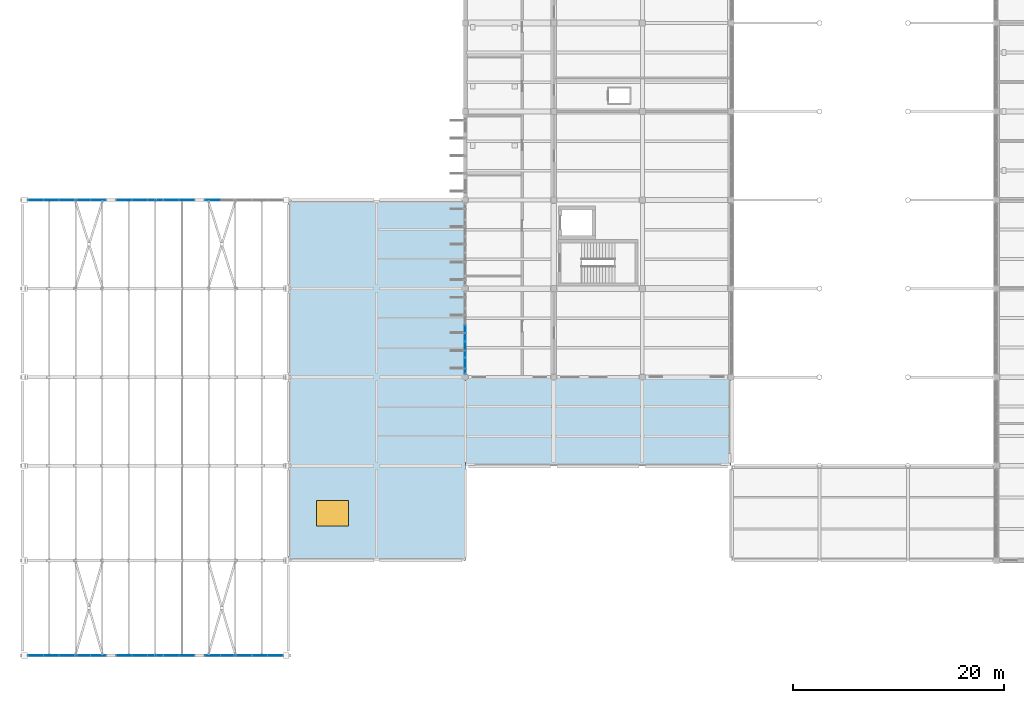
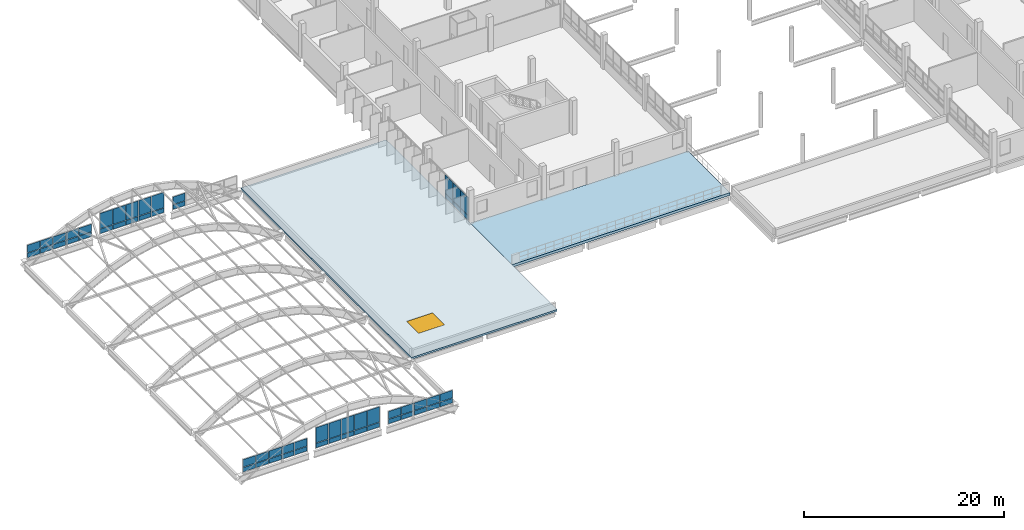
# One storey, part 94 of 130: 58 plates, 2 slabs, 1 window, 1 opening, 7 elements without a shape of their own.
"""IFC4 building model written with IfcOpenShell, lengths in metres."""

from ifc_helpers import new_model, si_unit, direction, frame, origin, origin_2d, place, context, subcontext, project, spatial, polyline, rectangle, outline, extrude, material, layer, layer_set, type_object, element, fill, aggregate, save


model = new_model("IFC4")

# Units and contexts
model_context = context("Model", 3, precision=1e-05, world=origin(), true_north=direction((0.0, 1.0)))
body_context = subcontext(model_context, "Body", "Model", "MODEL_VIEW")
ifc_project = project(units=[si_unit("LENGTHUNIT", "METRE"), si_unit("AREAUNIT", "SQUARE_METRE"), si_unit("VOLUMEUNIT", "CUBIC_METRE"), si_unit("PLANEANGLEUNIT", "RADIAN"), si_unit("MASSUNIT", "GRAM", prefix="KILO")], contexts=[model_context])

# Site, building, storey
site_placement = place(None, origin())
site = spatial("IfcSite", under=ifc_project, at=site_placement, CompositionType="ELEMENT")
building_placement = place(site_placement, origin())
building = spatial("IfcBuilding", under=site, at=building_placement, Name="Vireocrest Preparatory School", CompositionType="ELEMENT")
storey_placement = place(building_placement, frame((0.0, 0.0, 9.0)))
storey = spatial("IfcBuildingStorey", under=building, at=storey_placement, Name="L02", CompositionType="ELEMENT", Elevation=9.0)

# Curtain wall, plates
ifc_material_1 = material(Name="Thermally broken aluminium EN AW-6063-T6", Category="aluminium")
ifc_layer_1 = layer(ifc_material_1, 0.179931640625)
ifc_layer_set_1 = layer_set([ifc_layer_1], Name="Thermally broken aluminium EN AW-6063-T6")
curtain_wall_type_1 = type_object("IfcCurtainWallType", Name="Teaching Fin Curtain Wall 8400x4200", PredefinedType="USERDEFINED", material=ifc_layer_set_1)
curtain_wall_1_placement = place(storey_placement, origin())
curtain_wall_1 = element("IfcCurtainWall", 1, at=curtain_wall_1_placement, inside=storey, type_object=curtain_wall_type_1, Name="Curtain Wall CW03 CW_L02_CW03_0420_0356_090", ObjectType="CURTAIN WALL", PredefinedType="USERDEFINED")
ifc_material_2 = material(Name="Insulated triple low-e tempered safety glass", Category="glass")
ifc_layer_2 = layer(ifc_material_2, 0.074951171875)
ifc_layer_set_2 = layer_set([ifc_layer_2], Name="Insulated triple low-e tempered safety glass")
plate_type_1 = type_object("IfcPlateType", Name="Acoustic Triple-Glazed Lab Curtain Panel 75", PredefinedType="CURTAIN_PANEL", material=ifc_layer_set_2)
plate_1_placement = place(storey_placement, frame((42.0, 36.488037109375, 0.12744140625), z_axis=(0.0, 0.0, 1.0), x_axis=(0.0, 1.0, 0.0)))
plate_1 = element("IfcPlate", 2, at=plate_1_placement, type_object=plate_type_1, Name="CW Panel GL2 CW_L02_CW03_0420_0356_090-1-1", PredefinedType="CURTAIN_PANEL", context=body_context, shape_type="SweptSolid", body=[
    extrude(rectangle(XDim=1.490966796875, YDim=0.074951171875, at=origin_2d()), origin(), (0.0, 0.0, 1.0), 0.5400390625),
])
plate_2_placement = place(storey_placement, frame((42.0, 36.488037109375, 0.732421875), z_axis=(0.0, 0.0, 1.0), x_axis=(0.0, 1.0, 0.0)))
plate_2 = element("IfcPlate", 3, at=plate_2_placement, type_object=plate_type_1, Name="CW Panel GL2 CW_L02_CW03_0420_0356_090-1-2", PredefinedType="CURTAIN_PANEL", context=body_context, shape_type="SweptSolid", body=[
    extrude(rectangle(XDim=1.490966796875, YDim=0.074951171875, at=origin_2d()), origin(), (0.0, 0.0, 1.0), 2.169921875),
])
plate_3_placement = place(storey_placement, frame((42.0, 38.0439453125, 0.12744140625), z_axis=(0.0, 0.0, 1.0), x_axis=(0.0, 1.0, 0.0)))
plate_3 = element("IfcPlate", 4, at=plate_3_placement, type_object=plate_type_1, Name="CW Panel GL2 CW_L02_CW03_0420_0356_090-2-1", PredefinedType="CURTAIN_PANEL", context=body_context, shape_type="SweptSolid", body=[
    extrude(rectangle(XDim=1.490966796875, YDim=0.074951171875, at=origin_2d()), origin(), (0.0, 0.0, 1.0), 0.5400390625),
])
plate_4_placement = place(storey_placement, frame((42.0, 38.0439453125, 0.732421875), z_axis=(0.0, 0.0, 1.0), x_axis=(0.0, 1.0, 0.0)))
plate_4 = element("IfcPlate", 5, at=plate_4_placement, type_object=plate_type_1, Name="CW Panel GL2 CW_L02_CW03_0420_0356_090-2-2", PredefinedType="CURTAIN_PANEL", context=body_context, shape_type="SweptSolid", body=[
    extrude(rectangle(XDim=1.490966796875, YDim=0.074951171875, at=origin_2d()), origin(), (0.0, 0.0, 1.0), 2.169921875),
])
plate_5_placement = place(storey_placement, frame((42.0, 39.60009765625, 0.12744140625), z_axis=(0.0, 0.0, 1.0), x_axis=(0.0, 1.0, 0.0)))
plate_5 = element("IfcPlate", 6, at=plate_5_placement, type_object=plate_type_1, Name="CW Panel GL2 CW_L02_CW03_0420_0356_090-3-1", PredefinedType="CURTAIN_PANEL", context=body_context, shape_type="SweptSolid", body=[
    extrude(rectangle(XDim=1.490966796875, YDim=0.074951171875, at=origin_2d()), origin(), (0.0, 0.0, 1.0), 0.5400390625),
])
plate_6_placement = place(storey_placement, frame((42.0, 39.60009765625, 0.732421875), z_axis=(0.0, 0.0, 1.0), x_axis=(0.0, 1.0, 0.0)))
plate_6 = element("IfcPlate", 7, at=plate_6_placement, type_object=plate_type_1, Name="CW Panel GL2 CW_L02_CW03_0420_0356_090-3-2", PredefinedType="CURTAIN_PANEL", context=body_context, shape_type="SweptSolid", body=[
    extrude(rectangle(XDim=1.490966796875, YDim=0.074951171875, at=origin_2d()), origin(), (0.0, 0.0, 1.0), 2.169921875),
])
aggregate(curtain_wall_1, [plate_1, plate_2, plate_3, plate_4, plate_5, plate_6])

# Slab, opening, window
ifc_material_3 = material(Name="Concrete 40 MPa", Category="concrete")
ifc_layer_3 = layer(ifc_material_3, 0.219970703125)
ifc_layer_set_3 = layer_set([ifc_layer_3], Name="Concrete 40 MPa")
slab_type_1 = type_object("IfcSlabType", Name="Insulated Flat Concrete Roof Slab 220", PredefinedType="ROOF", material=ifc_layer_set_3)
slab_1_placement = place(storey_placement, frame((0.0, 0.0, -0.219970703125)))
slab_1 = element("IfcSlab", 8, at=slab_1_placement, inside=storey, type_object=slab_type_1, Name="Slab L02_WEST_LINK_ROOF", PredefinedType="ROOF", context=body_context, shape_type="SweptSolid", body=[
    extrude(outline(polyline([(25.199951171875, 18.0), (42.0, 18.0), (42.0, 52.199951171875), (25.199951171875, 52.199951171875), (25.199951171875, 18.0)])), origin(), (0.0, 0.0, 1.0), 0.219970703125),
])
opening_placement = place(slab_1_placement, frame((29.39990234375, 22.5, -0.010009765625)))
opening = element("IfcOpeningElement", 9, at=opening_placement, cuts=slab_1, Name="Opening SK06", PredefinedType="OPENING", context=body_context, shape_type="SweptSolid", body=[
    extrude(rectangle(XDim=3.0, YDim=2.39990234375, at=origin_2d()), origin(), (0.0, 0.0, 1.0), 0.239990234375),
])
ifc_material_4 = material(Name="Tempered solar-control skylight glass", Category="glass")
window_type = type_object("IfcWindowType", Name="Stair Smoke-Relief Roof Hatch Skylight 3000x2400", PartitioningType="SINGLE_PANEL", PredefinedType="SKYLIGHT", material=ifc_material_4)
window_placement = place(opening_placement, frame((0.0, 0.0, 0.179931640625)))
window = element("IfcWindow", 10, at=window_placement, inside=storey, type_object=window_type, Name="Roof Skylight SK06-03", OverallHeight=2.39990234375, OverallWidth=3.0, PartitioningType="SINGLE_PANEL", PredefinedType="SKYLIGHT", context=body_context, shape_type="SweptSolid", body=[
    extrude(rectangle(XDim=3.0, YDim=2.39990234375, at=origin_2d()), origin(), (0.0, 0.0, 1.0), 0.050048828125),
])
fill(opening, window)

# Slab
ifc_layer_4 = layer(ifc_material_3, 0.320068359375)
ifc_layer_set_4 = layer_set([ifc_layer_4], Name="Concrete 40 MPa")
slab_type_2 = type_object("IfcSlabType", Name="Outdoor Play Deck and Terrace Structural Slab 320", PredefinedType="FLOOR", material=ifc_layer_set_4)
slab_2_placement = place(storey_placement, frame((0.0, 0.0, -0.320068359375)))
element("IfcSlab", 11, at=slab_2_placement, inside=storey, type_object=slab_type_2, Name="Slab L02_WEST_TERRACE_S", PredefinedType="FLOOR", context=body_context, shape_type="SweptSolid", body=[
    extrude(outline(polyline([(42.0, 27.0), (67.199951171875, 27.0), (67.199951171875, 35.39990234375), (42.0, 35.39990234375), (42.0, 27.0)])), origin(), (0.0, 0.0, 1.0), 0.320068359375),
])

# Curtain wall, plates
ifc_layer_5 = layer(ifc_material_1, 0.179931640625)
ifc_layer_set_5 = layer_set([ifc_layer_5], Name="Thermally broken aluminium EN AW-6063-T6")
curtain_wall_type_2 = type_object("IfcCurtainWallType", Name="Vault Gable Clerestory 8400x2600", PredefinedType="USERDEFINED", material=ifc_layer_set_5)
curtain_wall_2_placement = place(storey_placement, origin())
curtain_wall_2 = element("IfcCurtainWall", 12, at=curtain_wall_2_placement, inside=storey, type_object=curtain_wall_type_2, Name="Curtain Wall CW13 CW_L02_CW13_0004_0090_090", ObjectType="CURTAIN WALL", PredefinedType="USERDEFINED")
ifc_layer_6 = layer(ifc_material_2, 0.06005859375)
ifc_layer_set_6 = layer_set([ifc_layer_6], Name="Insulated triple low-e tempered safety glass")
plate_type_2 = type_object("IfcPlateType", Name="Triple-Glazed Vision Curtain Panel 60", PredefinedType="CURTAIN_PANEL", material=ifc_layer_set_6)
plate_7_placement = place(storey_placement, frame((1.22412109375, 9.0, 0.12744140625), z_axis=(0.0, 0.0, 1.0), x_axis=(1.0, 0.0, 0.0)))
plate_7 = element("IfcPlate", 13, at=plate_7_placement, type_object=plate_type_2, Name="CW Panel GL1 CW_L02_CW13_0004_0090_090-1-1", PredefinedType="CURTAIN_PANEL", context=body_context, shape_type="SweptSolid", body=[
    extrude(rectangle(XDim=1.423095703125, YDim=0.06005859375, at=origin_2d()), origin(), (0.0, 0.0, 1.0), 0.5400390625),
])
plate_8_placement = place(storey_placement, frame((1.22412109375, 9.0, 0.732421875), z_axis=(0.0, 0.0, 1.0), x_axis=(1.0, 0.0, 0.0)))
plate_8 = element("IfcPlate", 14, at=plate_8_placement, type_object=plate_type_2, Name="CW Panel GL1 CW_L02_CW13_0004_0090_090-1-2", PredefinedType="CURTAIN_PANEL", context=body_context, shape_type="SweptSolid", body=[
    extrude(rectangle(XDim=1.423095703125, YDim=0.06005859375, at=origin_2d()), origin(), (0.0, 0.0, 1.0), 0.909912109375),
])
plate_9_placement = place(storey_placement, frame((2.7119140625, 9.0, 0.12744140625), z_axis=(0.0, 0.0, 1.0), x_axis=(1.0, 0.0, 0.0)))
plate_9 = element("IfcPlate", 15, at=plate_9_placement, type_object=plate_type_2, Name="CW Panel GL1 CW_L02_CW13_0004_0090_090-2-1", PredefinedType="CURTAIN_PANEL", context=body_context, shape_type="SweptSolid", body=[
    extrude(rectangle(XDim=1.423095703125, YDim=0.06005859375, at=origin_2d()), origin(), (0.0, 0.0, 1.0), 0.5400390625),
])
plate_10_placement = place(storey_placement, frame((2.7119140625, 9.0, 0.732421875), z_axis=(0.0, 0.0, 1.0), x_axis=(1.0, 0.0, 0.0)))
plate_10 = element("IfcPlate", 16, at=plate_10_placement, type_object=plate_type_2, Name="CW Panel GL1 CW_L02_CW13_0004_0090_090-2-2", PredefinedType="CURTAIN_PANEL", context=body_context, shape_type="SweptSolid", body=[
    extrude(rectangle(XDim=1.423095703125, YDim=0.06005859375, at=origin_2d()), origin(), (0.0, 0.0, 1.0), 0.909912109375),
])
plate_11_placement = place(storey_placement, frame((4.199951171875, 9.0, 0.12744140625), z_axis=(0.0, 0.0, 1.0), x_axis=(1.0, 0.0, 0.0)))
plate_11 = element("IfcPlate", 17, at=plate_11_placement, type_object=plate_type_2, Name="CW Panel GL1 CW_L02_CW13_0004_0090_090-3-1", PredefinedType="CURTAIN_PANEL", context=body_context, shape_type="SweptSolid", body=[
    extrude(rectangle(XDim=1.423095703125, YDim=0.06005859375, at=origin_2d()), origin(), (0.0, 0.0, 1.0), 0.5400390625),
])
plate_12_placement = place(storey_placement, frame((4.199951171875, 9.0, 0.732421875), z_axis=(0.0, 0.0, 1.0), x_axis=(1.0, 0.0, 0.0)))
plate_12 = element("IfcPlate", 18, at=plate_12_placement, type_object=plate_type_2, Name="CW Panel GL1 CW_L02_CW13_0004_0090_090-3-2", PredefinedType="CURTAIN_PANEL", context=body_context, shape_type="SweptSolid", body=[
    extrude(rectangle(XDim=1.423095703125, YDim=0.06005859375, at=origin_2d()), origin(), (0.0, 0.0, 1.0), 0.909912109375),
])
plate_13_placement = place(storey_placement, frame((5.68798828125, 9.0, 0.12744140625), z_axis=(0.0, 0.0, 1.0), x_axis=(1.0, 0.0, 0.0)))
plate_13 = element("IfcPlate", 19, at=plate_13_placement, type_object=plate_type_2, Name="CW Panel GL1 CW_L02_CW13_0004_0090_090-4-1", PredefinedType="CURTAIN_PANEL", context=body_context, shape_type="SweptSolid", body=[
    extrude(rectangle(XDim=1.423095703125, YDim=0.06005859375, at=origin_2d()), origin(), (0.0, 0.0, 1.0), 0.5400390625),
])
plate_14_placement = place(storey_placement, frame((5.68798828125, 9.0, 0.732421875), z_axis=(0.0, 0.0, 1.0), x_axis=(1.0, 0.0, 0.0)))
plate_14 = element("IfcPlate", 20, at=plate_14_placement, type_object=plate_type_2, Name="CW Panel GL1 CW_L02_CW13_0004_0090_090-4-2", PredefinedType="CURTAIN_PANEL", context=body_context, shape_type="SweptSolid", body=[
    extrude(rectangle(XDim=1.423095703125, YDim=0.06005859375, at=origin_2d()), origin(), (0.0, 0.0, 1.0), 0.909912109375),
])
plate_15_placement = place(storey_placement, frame((7.176025390625, 9.0, 0.12744140625), z_axis=(0.0, 0.0, 1.0), x_axis=(1.0, 0.0, 0.0)))
plate_15 = element("IfcPlate", 21, at=plate_15_placement, type_object=plate_type_2, Name="CW Panel GL1 CW_L02_CW13_0004_0090_090-5-1", PredefinedType="CURTAIN_PANEL", context=body_context, shape_type="SweptSolid", body=[
    extrude(rectangle(XDim=1.423095703125, YDim=0.06005859375, at=origin_2d()), origin(), (0.0, 0.0, 1.0), 0.5400390625),
])
plate_16_placement = place(storey_placement, frame((7.176025390625, 9.0, 0.732421875), z_axis=(0.0, 0.0, 1.0), x_axis=(1.0, 0.0, 0.0)))
plate_16 = element("IfcPlate", 22, at=plate_16_placement, type_object=plate_type_2, Name="CW Panel GL1 CW_L02_CW13_0004_0090_090-5-2", PredefinedType="CURTAIN_PANEL", context=body_context, shape_type="SweptSolid", body=[
    extrude(rectangle(XDim=1.423095703125, YDim=0.06005859375, at=origin_2d()), origin(), (0.0, 0.0, 1.0), 0.909912109375),
])
aggregate(curtain_wall_2, [plate_7, plate_8, plate_9, plate_10, plate_11, plate_12, plate_13, plate_14, plate_15, plate_16])

ifc_layer_7 = layer(ifc_material_1, 0.179931640625)
ifc_layer_set_7 = layer_set([ifc_layer_7], Name="Thermally broken aluminium EN AW-6063-T6")
curtain_wall_type_3 = type_object("IfcCurtainWallType", Name="Vault Centre Gable Clerestory 8400x3800", PredefinedType="USERDEFINED", material=ifc_layer_set_7)
curtain_wall_3_placement = place(storey_placement, origin())
curtain_wall_3 = element("IfcCurtainWall", 23, at=curtain_wall_3_placement, inside=storey, type_object=curtain_wall_type_3, Name="Curtain Wall CW14 CW_L02_CW14_0088_0090_090", ObjectType="CURTAIN WALL", PredefinedType="USERDEFINED")
plate_17_placement = place(storey_placement, frame((9.6240234375, 9.0, 0.12744140625), z_axis=(0.0, 0.0, 1.0), x_axis=(1.0, 0.0, 0.0)))
plate_17 = element("IfcPlate", 24, at=plate_17_placement, type_object=plate_type_2, Name="CW Panel GL1 CW_L02_CW14_0088_0090_090-1-1", PredefinedType="CURTAIN_PANEL", context=body_context, shape_type="SweptSolid", body=[
    extrude(rectangle(XDim=1.423095703125, YDim=0.06005859375, at=origin_2d()), origin(), (0.0, 0.0, 1.0), 0.5400390625),
])
plate_18_placement = place(storey_placement, frame((9.6240234375, 9.0, 0.732421875), z_axis=(0.0, 0.0, 1.0), x_axis=(1.0, 0.0, 0.0)))
plate_18 = element("IfcPlate", 25, at=plate_18_placement, type_object=plate_type_2, Name="CW Panel GL1 CW_L02_CW14_0088_0090_090-1-2", PredefinedType="CURTAIN_PANEL", context=body_context, shape_type="SweptSolid", body=[
    extrude(rectangle(XDim=1.423095703125, YDim=0.06005859375, at=origin_2d()), origin(), (0.0, 0.0, 1.0), 1.860107421875),
])
plate_19_placement = place(storey_placement, frame((11.112060546875, 9.0, 0.12744140625), z_axis=(0.0, 0.0, 1.0), x_axis=(1.0, 0.0, 0.0)))
plate_19 = element("IfcPlate", 26, at=plate_19_placement, type_object=plate_type_2, Name="CW Panel GL1 CW_L02_CW14_0088_0090_090-2-1", PredefinedType="CURTAIN_PANEL", context=body_context, shape_type="SweptSolid", body=[
    extrude(rectangle(XDim=1.423095703125, YDim=0.06005859375, at=origin_2d()), origin(), (0.0, 0.0, 1.0), 0.5400390625),
])
plate_20_placement = place(storey_placement, frame((11.112060546875, 9.0, 0.732421875), z_axis=(0.0, 0.0, 1.0), x_axis=(1.0, 0.0, 0.0)))
plate_20 = element("IfcPlate", 27, at=plate_20_placement, type_object=plate_type_2, Name="CW Panel GL1 CW_L02_CW14_0088_0090_090-2-2", PredefinedType="CURTAIN_PANEL", context=body_context, shape_type="SweptSolid", body=[
    extrude(rectangle(XDim=1.423095703125, YDim=0.06005859375, at=origin_2d()), origin(), (0.0, 0.0, 1.0), 1.860107421875),
])
plate_21_placement = place(storey_placement, frame((12.60009765625, 9.0, 0.12744140625), z_axis=(0.0, 0.0, 1.0), x_axis=(1.0, 0.0, 0.0)))
plate_21 = element("IfcPlate", 28, at=plate_21_placement, type_object=plate_type_2, Name="CW Panel GL1 CW_L02_CW14_0088_0090_090-3-1", PredefinedType="CURTAIN_PANEL", context=body_context, shape_type="SweptSolid", body=[
    extrude(rectangle(XDim=1.423095703125, YDim=0.06005859375, at=origin_2d()), origin(), (0.0, 0.0, 1.0), 0.5400390625),
])
plate_22_placement = place(storey_placement, frame((12.60009765625, 9.0, 0.732421875), z_axis=(0.0, 0.0, 1.0), x_axis=(1.0, 0.0, 0.0)))
plate_22 = element("IfcPlate", 29, at=plate_22_placement, type_object=plate_type_2, Name="CW Panel GL1 CW_L02_CW14_0088_0090_090-3-2", PredefinedType="CURTAIN_PANEL", context=body_context, shape_type="SweptSolid", body=[
    extrude(rectangle(XDim=1.423095703125, YDim=0.06005859375, at=origin_2d()), origin(), (0.0, 0.0, 1.0), 1.860107421875),
])
plate_23_placement = place(storey_placement, frame((14.087890625, 9.0, 0.12744140625), z_axis=(0.0, 0.0, 1.0), x_axis=(1.0, 0.0, 0.0)))
plate_23 = element("IfcPlate", 30, at=plate_23_placement, type_object=plate_type_2, Name="CW Panel GL1 CW_L02_CW14_0088_0090_090-4-1", PredefinedType="CURTAIN_PANEL", context=body_context, shape_type="SweptSolid", body=[
    extrude(rectangle(XDim=1.423095703125, YDim=0.06005859375, at=origin_2d()), origin(), (0.0, 0.0, 1.0), 0.5400390625),
])
plate_24_placement = place(storey_placement, frame((14.087890625, 9.0, 0.732421875), z_axis=(0.0, 0.0, 1.0), x_axis=(1.0, 0.0, 0.0)))
plate_24 = element("IfcPlate", 31, at=plate_24_placement, type_object=plate_type_2, Name="CW Panel GL1 CW_L02_CW14_0088_0090_090-4-2", PredefinedType="CURTAIN_PANEL", context=body_context, shape_type="SweptSolid", body=[
    extrude(rectangle(XDim=1.423095703125, YDim=0.06005859375, at=origin_2d()), origin(), (0.0, 0.0, 1.0), 1.860107421875),
])
plate_25_placement = place(storey_placement, frame((15.575927734375, 9.0, 0.12744140625), z_axis=(0.0, 0.0, 1.0), x_axis=(1.0, 0.0, 0.0)))
plate_25 = element("IfcPlate", 32, at=plate_25_placement, type_object=plate_type_2, Name="CW Panel GL1 CW_L02_CW14_0088_0090_090-5-1", PredefinedType="CURTAIN_PANEL", context=body_context, shape_type="SweptSolid", body=[
    extrude(rectangle(XDim=1.423095703125, YDim=0.06005859375, at=origin_2d()), origin(), (0.0, 0.0, 1.0), 0.5400390625),
])
plate_26_placement = place(storey_placement, frame((15.575927734375, 9.0, 0.732421875), z_axis=(0.0, 0.0, 1.0), x_axis=(1.0, 0.0, 0.0)))
plate_26 = element("IfcPlate", 33, at=plate_26_placement, type_object=plate_type_2, Name="CW Panel GL1 CW_L02_CW14_0088_0090_090-5-2", PredefinedType="CURTAIN_PANEL", context=body_context, shape_type="SweptSolid", body=[
    extrude(rectangle(XDim=1.423095703125, YDim=0.06005859375, at=origin_2d()), origin(), (0.0, 0.0, 1.0), 1.860107421875),
])
aggregate(curtain_wall_3, [plate_17, plate_18, plate_19, plate_20, plate_21, plate_22, plate_23, plate_24, plate_25, plate_26])

curtain_wall_4_placement = place(storey_placement, origin())
curtain_wall_4 = element("IfcCurtainWall", 34, at=curtain_wall_4_placement, inside=storey, type_object=curtain_wall_type_2, Name="Curtain Wall CW13 CW_L02_CW13_0172_0090_090", ObjectType="CURTAIN WALL", PredefinedType="USERDEFINED")
plate_27_placement = place(storey_placement, frame((18.02392578125, 9.0, 0.12744140625), z_axis=(0.0, 0.0, 1.0), x_axis=(1.0, 0.0, 0.0)))
plate_27 = element("IfcPlate", 35, at=plate_27_placement, type_object=plate_type_2, Name="CW Panel GL1 CW_L02_CW13_0172_0090_090-1-1", PredefinedType="CURTAIN_PANEL", context=body_context, shape_type="SweptSolid", body=[
    extrude(rectangle(XDim=1.423095703125, YDim=0.06005859375, at=origin_2d()), origin(), (0.0, 0.0, 1.0), 0.5400390625),
])
plate_28_placement = place(storey_placement, frame((18.02392578125, 9.0, 0.732421875), z_axis=(0.0, 0.0, 1.0), x_axis=(1.0, 0.0, 0.0)))
plate_28 = element("IfcPlate", 36, at=plate_28_placement, type_object=plate_type_2, Name="CW Panel GL1 CW_L02_CW13_0172_0090_090-1-2", PredefinedType="CURTAIN_PANEL", context=body_context, shape_type="SweptSolid", body=[
    extrude(rectangle(XDim=1.423095703125, YDim=0.06005859375, at=origin_2d()), origin(), (0.0, 0.0, 1.0), 0.909912109375),
])
plate_29_placement = place(storey_placement, frame((19.511962890625, 9.0, 0.12744140625), z_axis=(0.0, 0.0, 1.0), x_axis=(1.0, 0.0, 0.0)))
plate_29 = element("IfcPlate", 37, at=plate_29_placement, type_object=plate_type_2, Name="CW Panel GL1 CW_L02_CW13_0172_0090_090-2-1", PredefinedType="CURTAIN_PANEL", context=body_context, shape_type="SweptSolid", body=[
    extrude(rectangle(XDim=1.423095703125, YDim=0.06005859375, at=origin_2d()), origin(), (0.0, 0.0, 1.0), 0.5400390625),
])
plate_30_placement = place(storey_placement, frame((19.511962890625, 9.0, 0.732421875), z_axis=(0.0, 0.0, 1.0), x_axis=(1.0, 0.0, 0.0)))
plate_30 = element("IfcPlate", 38, at=plate_30_placement, type_object=plate_type_2, Name="CW Panel GL1 CW_L02_CW13_0172_0090_090-2-2", PredefinedType="CURTAIN_PANEL", context=body_context, shape_type="SweptSolid", body=[
    extrude(rectangle(XDim=1.423095703125, YDim=0.06005859375, at=origin_2d()), origin(), (0.0, 0.0, 1.0), 0.909912109375),
])
plate_31_placement = place(storey_placement, frame((21.0, 9.0, 0.12744140625), z_axis=(0.0, 0.0, 1.0), x_axis=(1.0, 0.0, 0.0)))
plate_31 = element("IfcPlate", 39, at=plate_31_placement, type_object=plate_type_2, Name="CW Panel GL1 CW_L02_CW13_0172_0090_090-3-1", PredefinedType="CURTAIN_PANEL", context=body_context, shape_type="SweptSolid", body=[
    extrude(rectangle(XDim=1.423095703125, YDim=0.06005859375, at=origin_2d()), origin(), (0.0, 0.0, 1.0), 0.5400390625),
])
plate_32_placement = place(storey_placement, frame((21.0, 9.0, 0.732421875), z_axis=(0.0, 0.0, 1.0), x_axis=(1.0, 0.0, 0.0)))
plate_32 = element("IfcPlate", 40, at=plate_32_placement, type_object=plate_type_2, Name="CW Panel GL1 CW_L02_CW13_0172_0090_090-3-2", PredefinedType="CURTAIN_PANEL", context=body_context, shape_type="SweptSolid", body=[
    extrude(rectangle(XDim=1.423095703125, YDim=0.06005859375, at=origin_2d()), origin(), (0.0, 0.0, 1.0), 0.909912109375),
])
plate_33_placement = place(storey_placement, frame((22.488037109375, 9.0, 0.12744140625), z_axis=(0.0, 0.0, 1.0), x_axis=(1.0, 0.0, 0.0)))
plate_33 = element("IfcPlate", 41, at=plate_33_placement, type_object=plate_type_2, Name="CW Panel GL1 CW_L02_CW13_0172_0090_090-4-1", PredefinedType="CURTAIN_PANEL", context=body_context, shape_type="SweptSolid", body=[
    extrude(rectangle(XDim=1.423095703125, YDim=0.06005859375, at=origin_2d()), origin(), (0.0, 0.0, 1.0), 0.5400390625),
])
plate_34_placement = place(storey_placement, frame((22.488037109375, 9.0, 0.732421875), z_axis=(0.0, 0.0, 1.0), x_axis=(1.0, 0.0, 0.0)))
plate_34 = element("IfcPlate", 42, at=plate_34_placement, type_object=plate_type_2, Name="CW Panel GL1 CW_L02_CW13_0172_0090_090-4-2", PredefinedType="CURTAIN_PANEL", context=body_context, shape_type="SweptSolid", body=[
    extrude(rectangle(XDim=1.423095703125, YDim=0.06005859375, at=origin_2d()), origin(), (0.0, 0.0, 1.0), 0.909912109375),
])
plate_35_placement = place(storey_placement, frame((23.97607421875, 9.0, 0.12744140625), z_axis=(0.0, 0.0, 1.0), x_axis=(1.0, 0.0, 0.0)))
plate_35 = element("IfcPlate", 43, at=plate_35_placement, type_object=plate_type_2, Name="CW Panel GL1 CW_L02_CW13_0172_0090_090-5-1", PredefinedType="CURTAIN_PANEL", context=body_context, shape_type="SweptSolid", body=[
    extrude(rectangle(XDim=1.423095703125, YDim=0.06005859375, at=origin_2d()), origin(), (0.0, 0.0, 1.0), 0.5400390625),
])
plate_36_placement = place(storey_placement, frame((23.97607421875, 9.0, 0.732421875), z_axis=(0.0, 0.0, 1.0), x_axis=(1.0, 0.0, 0.0)))
plate_36 = element("IfcPlate", 44, at=plate_36_placement, type_object=plate_type_2, Name="CW Panel GL1 CW_L02_CW13_0172_0090_090-5-2", PredefinedType="CURTAIN_PANEL", context=body_context, shape_type="SweptSolid", body=[
    extrude(rectangle(XDim=1.423095703125, YDim=0.06005859375, at=origin_2d()), origin(), (0.0, 0.0, 1.0), 0.909912109375),
])
aggregate(curtain_wall_4, [plate_27, plate_28, plate_29, plate_30, plate_31, plate_32, plate_33, plate_34, plate_35, plate_36])

curtain_wall_5_placement = place(storey_placement, origin())
curtain_wall_5 = element("IfcCurtainWall", 45, at=curtain_wall_5_placement, inside=storey, type_object=curtain_wall_type_2, Name="Curtain Wall CW13 CW_L02_CW13_0004_0522_090", ObjectType="CURTAIN WALL", PredefinedType="USERDEFINED")
plate_37_placement = place(storey_placement, frame((1.22412109375, 52.199951171875, 0.12744140625), z_axis=(0.0, 0.0, 1.0), x_axis=(1.0, 0.0, 0.0)))
plate_37 = element("IfcPlate", 46, at=plate_37_placement, type_object=plate_type_2, Name="CW Panel GL1 CW_L02_CW13_0004_0522_090-1-1", PredefinedType="CURTAIN_PANEL", context=body_context, shape_type="SweptSolid", body=[
    extrude(rectangle(XDim=1.423095703125, YDim=0.06005859375, at=origin_2d()), origin(), (0.0, 0.0, 1.0), 0.5400390625),
])
plate_38_placement = place(storey_placement, frame((1.22412109375, 52.199951171875, 0.732421875), z_axis=(0.0, 0.0, 1.0), x_axis=(1.0, 0.0, 0.0)))
plate_38 = element("IfcPlate", 47, at=plate_38_placement, type_object=plate_type_2, Name="CW Panel GL1 CW_L02_CW13_0004_0522_090-1-2", PredefinedType="CURTAIN_PANEL", context=body_context, shape_type="SweptSolid", body=[
    extrude(rectangle(XDim=1.423095703125, YDim=0.06005859375, at=origin_2d()), origin(), (0.0, 0.0, 1.0), 0.909912109375),
])
plate_39_placement = place(storey_placement, frame((2.7119140625, 52.199951171875, 0.12744140625), z_axis=(0.0, 0.0, 1.0), x_axis=(1.0, 0.0, 0.0)))
plate_39 = element("IfcPlate", 48, at=plate_39_placement, type_object=plate_type_2, Name="CW Panel GL1 CW_L02_CW13_0004_0522_090-2-1", PredefinedType="CURTAIN_PANEL", context=body_context, shape_type="SweptSolid", body=[
    extrude(rectangle(XDim=1.423095703125, YDim=0.06005859375, at=origin_2d()), origin(), (0.0, 0.0, 1.0), 0.5400390625),
])
plate_40_placement = place(storey_placement, frame((2.7119140625, 52.199951171875, 0.732421875), z_axis=(0.0, 0.0, 1.0), x_axis=(1.0, 0.0, 0.0)))
plate_40 = element("IfcPlate", 49, at=plate_40_placement, type_object=plate_type_2, Name="CW Panel GL1 CW_L02_CW13_0004_0522_090-2-2", PredefinedType="CURTAIN_PANEL", context=body_context, shape_type="SweptSolid", body=[
    extrude(rectangle(XDim=1.423095703125, YDim=0.06005859375, at=origin_2d()), origin(), (0.0, 0.0, 1.0), 0.909912109375),
])
plate_41_placement = place(storey_placement, frame((4.199951171875, 52.199951171875, 0.12744140625), z_axis=(0.0, 0.0, 1.0), x_axis=(1.0, 0.0, 0.0)))
plate_41 = element("IfcPlate", 50, at=plate_41_placement, type_object=plate_type_2, Name="CW Panel GL1 CW_L02_CW13_0004_0522_090-3-1", PredefinedType="CURTAIN_PANEL", context=body_context, shape_type="SweptSolid", body=[
    extrude(rectangle(XDim=1.423095703125, YDim=0.06005859375, at=origin_2d()), origin(), (0.0, 0.0, 1.0), 0.5400390625),
])
plate_42_placement = place(storey_placement, frame((4.199951171875, 52.199951171875, 0.732421875), z_axis=(0.0, 0.0, 1.0), x_axis=(1.0, 0.0, 0.0)))
plate_42 = element("IfcPlate", 51, at=plate_42_placement, type_object=plate_type_2, Name="CW Panel GL1 CW_L02_CW13_0004_0522_090-3-2", PredefinedType="CURTAIN_PANEL", context=body_context, shape_type="SweptSolid", body=[
    extrude(rectangle(XDim=1.423095703125, YDim=0.06005859375, at=origin_2d()), origin(), (0.0, 0.0, 1.0), 0.909912109375),
])
plate_43_placement = place(storey_placement, frame((5.68798828125, 52.199951171875, 0.12744140625), z_axis=(0.0, 0.0, 1.0), x_axis=(1.0, 0.0, 0.0)))
plate_43 = element("IfcPlate", 52, at=plate_43_placement, type_object=plate_type_2, Name="CW Panel GL1 CW_L02_CW13_0004_0522_090-4-1", PredefinedType="CURTAIN_PANEL", context=body_context, shape_type="SweptSolid", body=[
    extrude(rectangle(XDim=1.423095703125, YDim=0.06005859375, at=origin_2d()), origin(), (0.0, 0.0, 1.0), 0.5400390625),
])
plate_44_placement = place(storey_placement, frame((5.68798828125, 52.199951171875, 0.732421875), z_axis=(0.0, 0.0, 1.0), x_axis=(1.0, 0.0, 0.0)))
plate_44 = element("IfcPlate", 53, at=plate_44_placement, type_object=plate_type_2, Name="CW Panel GL1 CW_L02_CW13_0004_0522_090-4-2", PredefinedType="CURTAIN_PANEL", context=body_context, shape_type="SweptSolid", body=[
    extrude(rectangle(XDim=1.423095703125, YDim=0.06005859375, at=origin_2d()), origin(), (0.0, 0.0, 1.0), 0.909912109375),
])
plate_45_placement = place(storey_placement, frame((7.176025390625, 52.199951171875, 0.12744140625), z_axis=(0.0, 0.0, 1.0), x_axis=(1.0, 0.0, 0.0)))
plate_45 = element("IfcPlate", 54, at=plate_45_placement, type_object=plate_type_2, Name="CW Panel GL1 CW_L02_CW13_0004_0522_090-5-1", PredefinedType="CURTAIN_PANEL", context=body_context, shape_type="SweptSolid", body=[
    extrude(rectangle(XDim=1.423095703125, YDim=0.06005859375, at=origin_2d()), origin(), (0.0, 0.0, 1.0), 0.5400390625),
])
plate_46_placement = place(storey_placement, frame((7.176025390625, 52.199951171875, 0.732421875), z_axis=(0.0, 0.0, 1.0), x_axis=(1.0, 0.0, 0.0)))
plate_46 = element("IfcPlate", 55, at=plate_46_placement, type_object=plate_type_2, Name="CW Panel GL1 CW_L02_CW13_0004_0522_090-5-2", PredefinedType="CURTAIN_PANEL", context=body_context, shape_type="SweptSolid", body=[
    extrude(rectangle(XDim=1.423095703125, YDim=0.06005859375, at=origin_2d()), origin(), (0.0, 0.0, 1.0), 0.909912109375),
])
aggregate(curtain_wall_5, [plate_37, plate_38, plate_39, plate_40, plate_41, plate_42, plate_43, plate_44, plate_45, plate_46])

curtain_wall_6_placement = place(storey_placement, origin())
curtain_wall_6 = element("IfcCurtainWall", 56, at=curtain_wall_6_placement, inside=storey, type_object=curtain_wall_type_3, Name="Curtain Wall CW14 CW_L02_CW14_0088_0522_090", ObjectType="CURTAIN WALL", PredefinedType="USERDEFINED")
plate_47_placement = place(storey_placement, frame((9.6240234375, 52.199951171875, 0.12744140625), z_axis=(0.0, 0.0, 1.0), x_axis=(1.0, 0.0, 0.0)))
plate_47 = element("IfcPlate", 57, at=plate_47_placement, type_object=plate_type_2, Name="CW Panel GL1 CW_L02_CW14_0088_0522_090-1-1", PredefinedType="CURTAIN_PANEL", context=body_context, shape_type="SweptSolid", body=[
    extrude(rectangle(XDim=1.423095703125, YDim=0.06005859375, at=origin_2d()), origin(), (0.0, 0.0, 1.0), 0.5400390625),
])
plate_48_placement = place(storey_placement, frame((9.6240234375, 52.199951171875, 0.732421875), z_axis=(0.0, 0.0, 1.0), x_axis=(1.0, 0.0, 0.0)))
plate_48 = element("IfcPlate", 58, at=plate_48_placement, type_object=plate_type_2, Name="CW Panel GL1 CW_L02_CW14_0088_0522_090-1-2", PredefinedType="CURTAIN_PANEL", context=body_context, shape_type="SweptSolid", body=[
    extrude(rectangle(XDim=1.423095703125, YDim=0.06005859375, at=origin_2d()), origin(), (0.0, 0.0, 1.0), 1.860107421875),
])
plate_49_placement = place(storey_placement, frame((11.112060546875, 52.199951171875, 0.12744140625), z_axis=(0.0, 0.0, 1.0), x_axis=(1.0, 0.0, 0.0)))
plate_49 = element("IfcPlate", 59, at=plate_49_placement, type_object=plate_type_2, Name="CW Panel GL1 CW_L02_CW14_0088_0522_090-2-1", PredefinedType="CURTAIN_PANEL", context=body_context, shape_type="SweptSolid", body=[
    extrude(rectangle(XDim=1.423095703125, YDim=0.06005859375, at=origin_2d()), origin(), (0.0, 0.0, 1.0), 0.5400390625),
])
plate_50_placement = place(storey_placement, frame((11.112060546875, 52.199951171875, 0.732421875), z_axis=(0.0, 0.0, 1.0), x_axis=(1.0, 0.0, 0.0)))
plate_50 = element("IfcPlate", 60, at=plate_50_placement, type_object=plate_type_2, Name="CW Panel GL1 CW_L02_CW14_0088_0522_090-2-2", PredefinedType="CURTAIN_PANEL", context=body_context, shape_type="SweptSolid", body=[
    extrude(rectangle(XDim=1.423095703125, YDim=0.06005859375, at=origin_2d()), origin(), (0.0, 0.0, 1.0), 1.860107421875),
])
plate_51_placement = place(storey_placement, frame((12.60009765625, 52.199951171875, 0.12744140625), z_axis=(0.0, 0.0, 1.0), x_axis=(1.0, 0.0, 0.0)))
plate_51 = element("IfcPlate", 61, at=plate_51_placement, type_object=plate_type_2, Name="CW Panel GL1 CW_L02_CW14_0088_0522_090-3-1", PredefinedType="CURTAIN_PANEL", context=body_context, shape_type="SweptSolid", body=[
    extrude(rectangle(XDim=1.423095703125, YDim=0.06005859375, at=origin_2d()), origin(), (0.0, 0.0, 1.0), 0.5400390625),
])
plate_52_placement = place(storey_placement, frame((12.60009765625, 52.199951171875, 0.732421875), z_axis=(0.0, 0.0, 1.0), x_axis=(1.0, 0.0, 0.0)))
plate_52 = element("IfcPlate", 62, at=plate_52_placement, type_object=plate_type_2, Name="CW Panel GL1 CW_L02_CW14_0088_0522_090-3-2", PredefinedType="CURTAIN_PANEL", context=body_context, shape_type="SweptSolid", body=[
    extrude(rectangle(XDim=1.423095703125, YDim=0.06005859375, at=origin_2d()), origin(), (0.0, 0.0, 1.0), 1.860107421875),
])
plate_53_placement = place(storey_placement, frame((14.087890625, 52.199951171875, 0.12744140625), z_axis=(0.0, 0.0, 1.0), x_axis=(1.0, 0.0, 0.0)))
plate_53 = element("IfcPlate", 63, at=plate_53_placement, type_object=plate_type_2, Name="CW Panel GL1 CW_L02_CW14_0088_0522_090-4-1", PredefinedType="CURTAIN_PANEL", context=body_context, shape_type="SweptSolid", body=[
    extrude(rectangle(XDim=1.423095703125, YDim=0.06005859375, at=origin_2d()), origin(), (0.0, 0.0, 1.0), 0.5400390625),
])
plate_54_placement = place(storey_placement, frame((14.087890625, 52.199951171875, 0.732421875), z_axis=(0.0, 0.0, 1.0), x_axis=(1.0, 0.0, 0.0)))
plate_54 = element("IfcPlate", 64, at=plate_54_placement, type_object=plate_type_2, Name="CW Panel GL1 CW_L02_CW14_0088_0522_090-4-2", PredefinedType="CURTAIN_PANEL", context=body_context, shape_type="SweptSolid", body=[
    extrude(rectangle(XDim=1.423095703125, YDim=0.06005859375, at=origin_2d()), origin(), (0.0, 0.0, 1.0), 1.860107421875),
])
plate_55_placement = place(storey_placement, frame((15.575927734375, 52.199951171875, 0.12744140625), z_axis=(0.0, 0.0, 1.0), x_axis=(1.0, 0.0, 0.0)))
plate_55 = element("IfcPlate", 65, at=plate_55_placement, type_object=plate_type_2, Name="CW Panel GL1 CW_L02_CW14_0088_0522_090-5-1", PredefinedType="CURTAIN_PANEL", context=body_context, shape_type="SweptSolid", body=[
    extrude(rectangle(XDim=1.423095703125, YDim=0.06005859375, at=origin_2d()), origin(), (0.0, 0.0, 1.0), 0.5400390625),
])
plate_56_placement = place(storey_placement, frame((15.575927734375, 52.199951171875, 0.732421875), z_axis=(0.0, 0.0, 1.0), x_axis=(1.0, 0.0, 0.0)))
plate_56 = element("IfcPlate", 66, at=plate_56_placement, type_object=plate_type_2, Name="CW Panel GL1 CW_L02_CW14_0088_0522_090-5-2", PredefinedType="CURTAIN_PANEL", context=body_context, shape_type="SweptSolid", body=[
    extrude(rectangle(XDim=1.423095703125, YDim=0.06005859375, at=origin_2d()), origin(), (0.0, 0.0, 1.0), 1.860107421875),
])
aggregate(curtain_wall_6, [plate_47, plate_48, plate_49, plate_50, plate_51, plate_52, plate_53, plate_54, plate_55, plate_56])

curtain_wall_7_placement = place(storey_placement, origin())
curtain_wall_7 = element("IfcCurtainWall", 67, at=curtain_wall_7_placement, inside=storey, type_object=curtain_wall_type_2, Name="Curtain Wall CW13 CW_L02_CW13_0172_0522_090", ObjectType="CURTAIN WALL", PredefinedType="USERDEFINED")
plate_57_placement = place(storey_placement, frame((18.02392578125, 52.199951171875, 0.12744140625), z_axis=(0.0, 0.0, 1.0), x_axis=(1.0, 0.0, 0.0)))
plate_57 = element("IfcPlate", 68, at=plate_57_placement, type_object=plate_type_2, Name="CW Panel GL1 CW_L02_CW13_0172_0522_090-1-1", PredefinedType="CURTAIN_PANEL", context=body_context, shape_type="SweptSolid", body=[
    extrude(rectangle(XDim=1.423095703125, YDim=0.06005859375, at=origin_2d()), origin(), (0.0, 0.0, 1.0), 0.5400390625),
])
plate_58_placement = place(storey_placement, frame((18.02392578125, 52.199951171875, 0.732421875), z_axis=(0.0, 0.0, 1.0), x_axis=(1.0, 0.0, 0.0)))
plate_58 = element("IfcPlate", 69, at=plate_58_placement, type_object=plate_type_2, Name="CW Panel GL1 CW_L02_CW13_0172_0522_090-1-2", PredefinedType="CURTAIN_PANEL", context=body_context, shape_type="SweptSolid", body=[
    extrude(rectangle(XDim=1.423095703125, YDim=0.06005859375, at=origin_2d()), origin(), (0.0, 0.0, 1.0), 0.909912109375),
])
aggregate(curtain_wall_7, [plate_57, plate_58])

save(model, "model.ifc")
